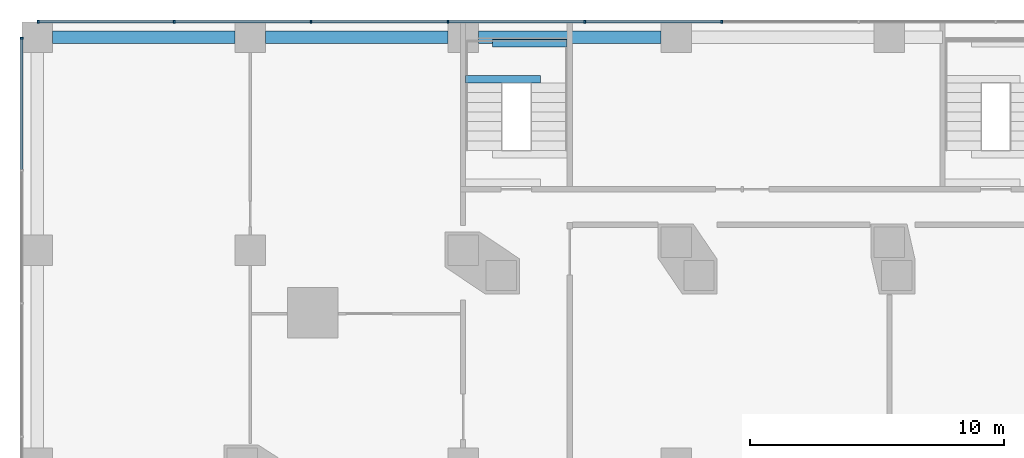
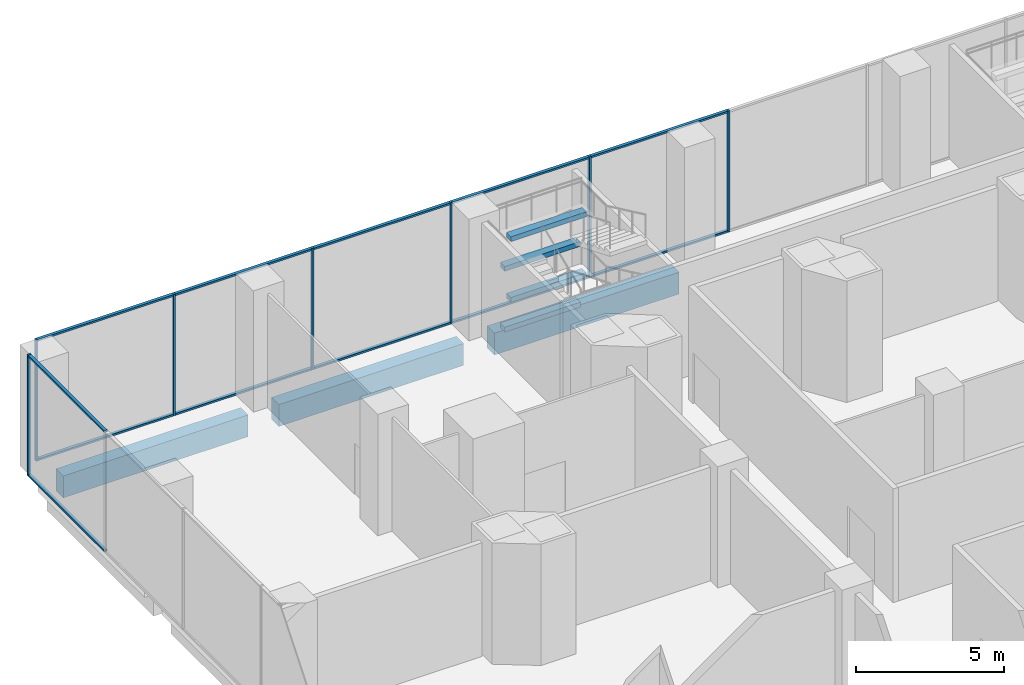
# One storey, part 10 of 28: 19 members, 7 beams, 2 elements without a shape of their own.
"""IFC4 building model written with IfcOpenShell, lengths in metres."""

import ifcopenshell
import ifcopenshell.guid

model = None  # the IFC model being written
_history = None  # IfcOwnerHistory: only IFC2X3 demands one
_inside = {}  # id of a spatial element -> (the spatial element, [elements in it])
_under = {}  # id of a project, library or spatial element -> (it, [spatial elements below it])
_declared = {}  # id of a project -> (the project, [libraries it declares])
_typed = {}  # id of a type object -> (the type object, [elements of that type])
_made_of = {}  # id of a material, layer set ... -> (it, [elements and type objects made of it])


def new_model(schema):
    """Start an empty IFC model of exactly this schema.

    Asked for "IFC4X3", IfcOpenShell would pick the latest addendum, in which some entities
    have other attributes; the version numbers below select the first issue.
    IFC2X3 requires an IfcOwnerHistory on every rooted entity: one is made here for all.
    """
    global model, _history
    if schema == "IFC4X3":
        model = ifcopenshell.file(schema_version=(4, 3, 0, 0))
    else:
        model = ifcopenshell.file(schema=schema)
    _inside.clear()
    _under.clear()
    _declared.clear()
    _typed.clear()
    _made_of.clear()
    _history = None
    if model.schema == "IFC2X3":
        org = make("IfcOrganization", Name="unknown")
        user = make(
            "IfcPersonAndOrganization",
            ThePerson=make("IfcPerson", FamilyName="unknown"),
            TheOrganization=org,
        )
        app = make(
            "IfcApplication",
            ApplicationDeveloper=org,
            Version="unknown",
            ApplicationFullName="unknown",
            ApplicationIdentifier="unknown",
        )
        _history = make(
            "IfcOwnerHistory",
            OwningUser=user,
            OwningApplication=app,
            ChangeAction="ADDED",
            CreationDate=0,
        )
    return model


def make(cls, **values):
    """One entity of the class cls with the attributes given. An attribute that is None is left unset."""
    return model.create_entity(
        cls, **{name: value for name, value in values.items() if value is not None}
    )


def rooted(cls, **values):
    """An entity with a GlobalId (a new one), such as an element, a storey or a relation."""
    return make(cls, GlobalId=ifcopenshell.guid.new(), OwnerHistory=_history, **values)


def si_unit(unit_type, name, prefix=None):
    """IfcSIUnit, for example si_unit("LENGTHUNIT", "METRE", prefix="MILLI")."""
    return make("IfcSIUnit", UnitType=unit_type, Prefix=prefix, Name=name)


def assignment(units):
    """IfcUnitAssignment: the units of a project."""
    return None if units is None else make("IfcUnitAssignment", Units=units)


def point(xyz):
    """IfcCartesianPoint."""
    return None if xyz is None else make("IfcCartesianPoint", Coordinates=xyz)


def direction(xyz):
    """IfcDirection."""
    return None if xyz is None else make("IfcDirection", DirectionRatios=xyz)


def frame(location, z_axis=None, x_axis=None):
    """IfcAxis2Placement3D, a coordinate frame: its origin and axes. An axis left out is left unset."""
    return make(
        "IfcAxis2Placement3D",
        Location=point(location),
        Axis=direction(z_axis),
        RefDirection=direction(x_axis),
    )


def frame_2d(location, x_axis=None):
    """IfcAxis2Placement2D, a coordinate frame in the plane: its origin and x axis."""
    return make(
        "IfcAxis2Placement2D", Location=point(location), RefDirection=direction(x_axis)
    )


def origin():
    """The frame at (0, 0, 0) with its axes left unset."""
    return frame((0.0, 0.0, 0.0))


def origin_2d():
    """The frame at (0, 0) in the plane with its x axis left unset."""
    return frame_2d((0.0, 0.0))


def place(relative_to, where):
    """IfcLocalPlacement: puts the frame where relative to a parent placement (None: the world)."""
    return make(
        "IfcLocalPlacement", PlacementRelTo=relative_to, RelativePlacement=where
    )


def context(
    kind, dimensions, precision=None, world=None, true_north=None, identifier=None
):
    """IfcGeometricRepresentationContext, for example the 3D "Model" context."""
    return make(
        "IfcGeometricRepresentationContext",
        ContextIdentifier=identifier,
        ContextType=kind,
        CoordinateSpaceDimension=dimensions,
        Precision=precision,
        WorldCoordinateSystem=world,
        TrueNorth=true_north,
    )


def subcontext(parent, identifier, kind, view, scale=None):
    """IfcGeometricRepresentationSubContext, for example "Body" below "Model"."""
    return make(
        "IfcGeometricRepresentationSubContext",
        ContextIdentifier=identifier,
        ContextType=kind,
        ParentContext=parent,
        TargetScale=scale,
        TargetView=view,
    )


def project(units=None, contexts=None):
    """IfcProject with its units and contexts."""
    return rooted(
        "IfcProject",
        Name="project",
        RepresentationContexts=contexts,
        UnitsInContext=assignment(units),
    )


def spatial(cls, under=None, at=None, **own):
    """A site, building, storey or space (cls), placed at a placement, below another one or the project."""
    s = rooted(cls, ObjectPlacement=at, **own)
    if under is not None:
        _under.setdefault(under.id(), (under, []))[1].append(s)
    return s


def profile(cls, at=None, kind="AREA", **sizes):
    """A parametric profile (cls). Its sizes go by their IFC names, for example OverallWidth=200.0."""
    return make(cls, ProfileType=kind, Position=at, **sizes)


def rectangle(**sizes):
    """IfcRectangleProfileDef."""
    return profile("IfcRectangleProfileDef", **sizes)


def extrude(swept, where, along, depth):
    """IfcExtrudedAreaSolid: the profile swept, set in the frame where, extruded along a direction by depth."""
    return make(
        "IfcExtrudedAreaSolid",
        SweptArea=swept,
        Position=where,
        ExtrudedDirection=direction(along),
        Depth=depth,
    )


def shape(context_of_items, identifier, shape_type, items):
    """IfcShapeRepresentation: the items that make up one representation, for example the "Body"."""
    return make(
        "IfcShapeRepresentation",
        ContextOfItems=context_of_items,
        RepresentationIdentifier=identifier,
        RepresentationType=shape_type,
        Items=items,
    )


def material(Name=None, Category=None):
    """IfcMaterial."""
    return make("IfcMaterial", Name=Name, Category=Category)


def layer(
    of_material, thickness, ventilated=None, Name=None, Category=None, Priority=None
):
    """IfcMaterialLayer: one layer of a wall or slab, of a material (None: an air gap)."""
    return make(
        "IfcMaterialLayer",
        Material=of_material,
        LayerThickness=thickness,
        IsVentilated=ventilated,
        Name=Name,
        Category=Category,
        Priority=Priority,
    )


def layer_set(layers, Name=None):
    """IfcMaterialLayerSet."""
    return make("IfcMaterialLayerSet", MaterialLayers=layers, LayerSetName=Name)


def material_profile(
    of_material, cross_section, Name=None, Category=None, Priority=None
):
    """IfcMaterialProfile: a cross section and its material."""
    return make(
        "IfcMaterialProfile",
        Name=Name,
        Material=of_material,
        Profile=cross_section,
        Priority=Priority,
        Category=Category,
    )


def profile_set(profiles, Name=None, composite=None):
    """IfcMaterialProfileSet."""
    return make(
        "IfcMaterialProfileSet",
        Name=Name,
        MaterialProfiles=profiles,
        CompositeProfile=composite,
    )


def made_of(thing, what):
    """Note that an element or type object is made of a material, layer set ...; save() writes the relation."""
    if what is not None:
        _made_of.setdefault(what.id(), (what, []))[1].append(thing)
    return thing


def type_object(cls, material=None, **own):
    """A type object (cls), such as IfcWallType, which elements share."""
    return made_of(rooted(cls, **own), material)


def element(
    cls,
    number,
    at=None,
    inside=None,
    cuts=None,
    type_object=None,
    material=None,
    context=None,
    identifier="Body",
    shape_type=None,
    held_by="IfcProductDefinitionShape",
    body=None,
    shapes=None,
    **own,
):
    """One element of the class cls, such as IfcWall. Its Tag is "e" and its number.

    at: its placement. inside: the storey or other place that contains it. cuts: it is an
    opening in that element (IfcRelVoidsElement). A single representation is given by context,
    identifier, shape_type and body (its items); several are given by shapes. held_by: the class
    of the entity that holds the representations. save() writes the other relations.
    """
    e = rooted(cls, Tag="e%d" % number, ObjectPlacement=at, **own)
    if body is not None:
        shapes = [shape(context, identifier, shape_type, body)]
    if shapes is not None:
        e.Representation = make(held_by, Representations=shapes)
    if inside is not None:
        _inside.setdefault(inside.id(), (inside, []))[1].append(e)
    if cuts is not None:
        rooted(
            "IfcRelVoidsElement", RelatingBuildingElement=cuts, RelatedOpeningElement=e
        )
    if type_object is not None:
        _typed.setdefault(type_object.id(), (type_object, []))[1].append(e)
    return made_of(e, material)


def aggregate(whole, parts):
    """IfcRelAggregates: a whole, such as a stair, and the parts it consists of."""
    return rooted("IfcRelAggregates", RelatingObject=whole, RelatedObjects=parts)


def save(model, path):
    """Write the relations noted so far, then the file.

    IfcRelAggregates (storeys below a building ...), IfcRelContainedInSpatialStructure (elements
    in a storey), IfcRelDefinesByType, IfcRelAssociatesMaterial and IfcRelDeclares: one each for
    every whole, place, type object, material and project.
    """
    for whole, parts in _under.values():
        aggregate(whole, parts)
    for where, things in _inside.values():
        rooted(
            "IfcRelContainedInSpatialStructure",
            RelatedElements=things,
            RelatingStructure=where,
        )
    for kind, things in _typed.values():
        rooted("IfcRelDefinesByType", RelatedObjects=things, RelatingType=kind)
    for what, things in _made_of.values():
        rooted("IfcRelAssociatesMaterial", RelatedObjects=things, RelatingMaterial=what)
    for by, libraries in _declared.values():
        rooted("IfcRelDeclares", RelatingContext=by, RelatedDefinitions=libraries)
    model.write(path)


model = new_model("IFC4")

# Units and contexts
model_context = context("Model", 3, precision=1e-05, world=origin(), true_north=direction((0.0, 1.0)))
body_context = subcontext(model_context, "Body", "Model", "MODEL_VIEW")
ifc_project = project(units=[si_unit("LENGTHUNIT", "METRE"), si_unit("AREAUNIT", "SQUARE_METRE"), si_unit("VOLUMEUNIT", "CUBIC_METRE"), si_unit("PLANEANGLEUNIT", "RADIAN"), si_unit("MASSUNIT", "GRAM", prefix="KILO")], contexts=[model_context])

# Site, building, storey
site_placement = place(None, origin())
site = spatial("IfcSite", under=ifc_project, at=site_placement, CompositionType="ELEMENT")
building_placement = place(site_placement, origin())
building = spatial("IfcBuilding", under=site, at=building_placement, Name="Marenta Gate Hotel Tower", CompositionType="ELEMENT")
storey_placement = place(building_placement, frame((0.0, 0.0, 26.0)))
storey = spatial("IfcBuildingStorey", under=building, at=storey_placement, Name="L04", CompositionType="ELEMENT", Elevation=26.0)

# Curtain wall, members
ifc_material_1 = material(Name="Tinted insulated glass in bronze anodised frame", Category="glass")
ifc_layer = layer(ifc_material_1, 0.1201171875)
ifc_layer_set = layer_set([ifc_layer], Name="Tinted insulated glass in bronze anodised frame")
curtain_wall_type = type_object("IfcCurtainWallType", Name="Wellness glazing CW7", PredefinedType="NOTDEFINED", material=ifc_layer_set)
curtain_wall_1_placement = place(storey_placement, origin())
curtain_wall_1 = element("IfcCurtainWall", 1, at=curtain_wall_1_placement, inside=storey, type_object=curtain_wall_type, Name="CW7 run NB-N000", PredefinedType="NOTDEFINED")
ifc_material_2 = material(Name="Bronze anodised aluminium", Category="aluminium")
ifc_material_profile_1 = material_profile(ifc_material_2, rectangle(XDim=0.1201171875, YDim=0.074951171875, at=origin_2d()), Name="Mullion CW7 75x120 bronze anodised aluminium")
ifc_profile_set_1 = profile_set([ifc_material_profile_1], Name="Bronze anodised aluminium")
member_type_1 = type_object("IfcMemberType", Name="Mullion CW7 75x120 bronze anodised aluminium", PredefinedType="MULLION", material=ifc_profile_set_1)
member_1_placement = place(storey_placement, frame((-10.800048828125, 42.614013671875, 0.0), z_axis=(0.0, 0.0, 1.0), x_axis=(0.0, -1.0, 0.0)))
member_1 = element("IfcMember", 2, at=member_1_placement, type_object=member_type_1, Name="CW7 mullion 10", PredefinedType="MULLION", context=body_context, shape_type="SweptSolid", body=[
    extrude(rectangle(XDim=0.1201171875, YDim=0.074951171875, at=origin_2d()), origin(), (0.0, 0.0, 1.0), 5.0),
])
member_2_placement = place(storey_placement, frame((-16.199951171875, 42.614013671875, 0.0), z_axis=(0.0, 0.0, 1.0), x_axis=(0.0, -1.0, 0.0)))
member_2 = element("IfcMember", 3, at=member_2_placement, type_object=member_type_1, Name="CW7 mullion 11", PredefinedType="MULLION", context=body_context, shape_type="SweptSolid", body=[
    extrude(rectangle(XDim=0.1201171875, YDim=0.074951171875, at=origin_2d()), origin(), (0.0, 0.0, 1.0), 5.0),
])
member_3_placement = place(storey_placement, frame((-21.60009765625, 42.614013671875, 0.0), z_axis=(0.0, 0.0, 1.0), x_axis=(0.0, -1.0, 0.0)))
member_3 = element("IfcMember", 4, at=member_3_placement, type_object=member_type_1, Name="CW7 mullion 12", PredefinedType="MULLION", context=body_context, shape_type="SweptSolid", body=[
    extrude(rectangle(XDim=0.1201171875, YDim=0.074951171875, at=origin_2d()), origin(), (0.0, 0.0, 1.0), 5.0),
])
member_4_placement = place(storey_placement, frame((-27.0, 42.614013671875, 0.0), z_axis=(0.0, 0.0, 1.0), x_axis=(0.0, -1.0, 0.0)))
member_4 = element("IfcMember", 5, at=member_4_placement, type_object=member_type_1, Name="CW7 mullion 13", PredefinedType="MULLION", context=body_context, shape_type="SweptSolid", body=[
    extrude(rectangle(XDim=0.1201171875, YDim=0.074951171875, at=origin_2d()), origin(), (0.0, 0.0, 1.0), 5.0),
])
member_5_placement = place(storey_placement, frame((-32.39990234375, 42.614013671875, 0.0), z_axis=(0.0, 0.0, 1.0), x_axis=(0.0, -1.0, 0.0)))
member_5 = element("IfcMember", 6, at=member_5_placement, type_object=member_type_1, Name="CW7 mullion 14", PredefinedType="MULLION", context=body_context, shape_type="SweptSolid", body=[
    extrude(rectangle(XDim=0.1201171875, YDim=0.074951171875, at=origin_2d()), origin(), (0.0, 0.0, 1.0), 5.0),
])
member_6_placement = place(storey_placement, frame((-37.762451171875, 42.614013671875, 0.0), z_axis=(0.0, 0.0, 1.0), x_axis=(0.0, -1.0, 0.0)))
member_6 = element("IfcMember", 7, at=member_6_placement, type_object=member_type_1, Name="CW7 mullion 15", PredefinedType="MULLION", context=body_context, shape_type="SweptSolid", body=[
    extrude(rectangle(XDim=0.1201171875, YDim=0.074951171875, at=origin_2d()), origin(), (0.0, 0.0, 1.0), 5.0),
])

# Curtain wall, member
curtain_wall_2_placement = place(storey_placement, origin())
curtain_wall_2 = element("IfcCurtainWall", 8, at=curtain_wall_2_placement, inside=storey, type_object=curtain_wall_type, Name="CW7 run NB-W000", PredefinedType="NOTDEFINED")
member_7_placement = place(storey_placement, frame((-38.4140625, 41.96240234375, 0.0), z_axis=(0.0, 0.0, 1.0), x_axis=(1.0, 0.0, 0.0)))
member_7 = element("IfcMember", 9, at=member_7_placement, type_object=member_type_1, Name="CW7 mullion 1", PredefinedType="MULLION", context=body_context, shape_type="SweptSolid", body=[
    extrude(rectangle(XDim=0.1201171875, YDim=0.074951171875, at=origin_2d()), origin(), (0.0, 0.0, 1.0), 5.0),
])

# Beams
ifc_material_3 = material(Name="Concrete C60", Category="concrete")
ifc_material_profile_2 = material_profile(ifc_material_3, rectangle(XDim=0.5, YDim=0.89990234375, at=origin_2d()), Name="500 x 900")
ifc_profile_set_2 = profile_set([ifc_material_profile_2], Name="Concrete C60")
beam_type_1 = type_object("IfcBeamType", Name="Podium edge beam 500 x 900 C60", PredefinedType="BEAM", material=ifc_profile_set_2)
for number, where, z_axis, x_axis, name in (
    (10, (-13.199951171875, 42.0, -0.77001953125), (-1.0, 0.0, 0.0), (0.0, -1.0, 0.0), "L04-PBM-168"),
    (11, (-21.60009765625, 42.0, -0.77001953125), (-1.0, 0.0, 0.0), (0.0, -1.0, 0.0), "L04-PBM-169"),
    (12, (-30.0, 42.0, -0.77001953125), (-1.0, 0.0, 0.0), (0.0, -1.0, 0.0), "L04-PBM-170"),
):
    element("IfcBeam", number, at=place(storey_placement, frame(where, z_axis=z_axis, x_axis=x_axis)), inside=storey, type_object=beam_type_1, Name=name, PredefinedType="BEAM", context=body_context, shape_type="SweptSolid", body=[
        extrude(rectangle(XDim=0.5, YDim=0.89990234375, at=origin_2d()), origin(), (0.0, 0.0, 1.0), 7.199951171875),
    ])
ifc_material_4 = material(Name="Concrete C40", Category="concrete")
ifc_material_profile_3 = material_profile(ifc_material_4, rectangle(XDim=0.300048828125, YDim=0.199951171875, at=origin_2d()), Name="300 x 200")
ifc_profile_set_3 = profile_set([ifc_material_profile_3], Name="Concrete C40")
beam_type_2 = type_object("IfcBeamType", Name="Stair landing trimmer 300 x 200 C40", PredefinedType="BEAM", material=ifc_profile_set_3)
beam_1_placement = place(storey_placement, frame((-20.89990234375, 40.340087890625, 0.949951171875), z_axis=(1.0, 0.0, 0.0), x_axis=(0.0, 1.0, 0.0)))
element("IfcBeam", 13, at=beam_1_placement, inside=storey, type_object=beam_type_2, Name="L04-PX3-LT-1", PredefinedType="BEAM", context=body_context, shape_type="SweptSolid", body=[
    extrude(rectangle(XDim=0.300048828125, YDim=0.199951171875, at=origin_2d()), origin(), (0.0, 0.0, 1.0), 2.949951171875),
])
beam_2_placement = place(storey_placement, frame((-19.85009765625, 41.75, 0.949951171875), z_axis=(1.0, 0.0, 0.0), x_axis=(0.0, 1.0, 0.0)))
element("IfcBeam", 14, at=beam_2_placement, inside=storey, type_object=beam_type_2, Name="L04-PX3-LT-2", PredefinedType="BEAM", context=body_context, shape_type="SweptSolid", body=[
    extrude(rectangle(XDim=0.300048828125, YDim=0.199951171875, at=origin_2d()), origin(), (0.0, 0.0, 1.0), 2.9501953125),
])
beam_3_placement = place(storey_placement, frame((-20.89990234375, 40.340087890625, 3.449951171875), z_axis=(1.0, 0.0, 0.0), x_axis=(0.0, 1.0, 0.0)))
element("IfcBeam", 15, at=beam_3_placement, inside=storey, type_object=beam_type_2, Name="L04-PX3-LT-5", PredefinedType="BEAM", context=body_context, shape_type="SweptSolid", body=[
    extrude(rectangle(XDim=0.300048828125, YDim=0.199951171875, at=origin_2d()), origin(), (0.0, 0.0, 1.0), 2.949951171875),
])
beam_4_placement = place(storey_placement, frame((-19.85009765625, 41.75, 3.449951171875), z_axis=(1.0, 0.0, 0.0), x_axis=(0.0, 1.0, 0.0)))
element("IfcBeam", 16, at=beam_4_placement, inside=storey, type_object=beam_type_2, Name="L04-PX3-LT-6", PredefinedType="BEAM", context=body_context, shape_type="SweptSolid", body=[
    extrude(rectangle(XDim=0.300048828125, YDim=0.199951171875, at=origin_2d()), origin(), (0.0, 0.0, 1.0), 2.9501953125),
])

# Member
ifc_material_5 = material(Name="Bronze anodised aluminium", Category="aluminium")
ifc_material_profile_4 = material_profile(ifc_material_5, rectangle(XDim=0.1201171875, YDim=0.074951171875, at=origin_2d()), Name="Transom CW7 75x120 bronze anodised aluminium")
ifc_profile_set_4 = profile_set([ifc_material_profile_4], Name="Bronze anodised aluminium")
member_type_2 = type_object("IfcMemberType", Name="Transom CW7 75x120 bronze anodised aluminium", PredefinedType="USERDEFINED", material=ifc_profile_set_4)
member_8_placement = place(storey_placement, frame((-10.83740234375, 42.614013671875, 0.03759765625), z_axis=(-1.0, 0.0, 0.0), x_axis=(0.0, -1.0, 0.0)))
member_8 = element("IfcMember", 17, at=member_8_placement, type_object=member_type_2, Name="CW7 transom 10.1", ObjectType="TRANSOM", PredefinedType="USERDEFINED", context=body_context, shape_type="SweptSolid", body=[
    extrude(rectangle(XDim=0.1201171875, YDim=0.074951171875, at=origin_2d()), origin(), (0.0, 0.0, 1.0), 5.3251953125),
])

member_9_placement = place(storey_placement, frame((-10.83740234375, 42.614013671875, 4.96240234375), z_axis=(-1.0, 0.0, 0.0), x_axis=(0.0, -1.0, 0.0)))
member_9 = element("IfcMember", 18, at=member_9_placement, type_object=member_type_2, Name="CW7 transom 10.2", ObjectType="TRANSOM", PredefinedType="USERDEFINED", context=body_context, shape_type="SweptSolid", body=[
    extrude(rectangle(XDim=0.1201171875, YDim=0.074951171875, at=origin_2d()), origin(), (0.0, 0.0, 1.0), 5.3251953125),
])

member_10_placement = place(storey_placement, frame((-16.237548828125, 42.614013671875, 0.03759765625), z_axis=(-1.0, 0.0, 0.0), x_axis=(0.0, -1.0, 0.0)))
member_10 = element("IfcMember", 19, at=member_10_placement, type_object=member_type_2, Name="CW7 transom 11.1", ObjectType="TRANSOM", PredefinedType="USERDEFINED", context=body_context, shape_type="SweptSolid", body=[
    extrude(rectangle(XDim=0.1201171875, YDim=0.074951171875, at=origin_2d()), origin(), (0.0, 0.0, 1.0), 5.324951171875),
])

member_11_placement = place(storey_placement, frame((-16.237548828125, 42.614013671875, 4.96240234375), z_axis=(-1.0, 0.0, 0.0), x_axis=(0.0, -1.0, 0.0)))
member_11 = element("IfcMember", 20, at=member_11_placement, type_object=member_type_2, Name="CW7 transom 11.2", ObjectType="TRANSOM", PredefinedType="USERDEFINED", context=body_context, shape_type="SweptSolid", body=[
    extrude(rectangle(XDim=0.1201171875, YDim=0.074951171875, at=origin_2d()), origin(), (0.0, 0.0, 1.0), 5.324951171875),
])

member_12_placement = place(storey_placement, frame((-21.637451171875, 42.614013671875, 0.03759765625), z_axis=(-1.0, 0.0, 0.0), x_axis=(0.0, -1.0, 0.0)))
member_12 = element("IfcMember", 21, at=member_12_placement, type_object=member_type_2, Name="CW7 transom 12.1", ObjectType="TRANSOM", PredefinedType="USERDEFINED", context=body_context, shape_type="SweptSolid", body=[
    extrude(rectangle(XDim=0.1201171875, YDim=0.074951171875, at=origin_2d()), origin(), (0.0, 0.0, 1.0), 5.324951171875),
])

member_13_placement = place(storey_placement, frame((-21.637451171875, 42.614013671875, 4.96240234375), z_axis=(-1.0, 0.0, 0.0), x_axis=(0.0, -1.0, 0.0)))
member_13 = element("IfcMember", 22, at=member_13_placement, type_object=member_type_2, Name="CW7 transom 12.2", ObjectType="TRANSOM", PredefinedType="USERDEFINED", context=body_context, shape_type="SweptSolid", body=[
    extrude(rectangle(XDim=0.1201171875, YDim=0.074951171875, at=origin_2d()), origin(), (0.0, 0.0, 1.0), 5.324951171875),
])

member_14_placement = place(storey_placement, frame((-27.03759765625, 42.614013671875, 0.03759765625), z_axis=(-1.0, 0.0, 0.0), x_axis=(0.0, -1.0, 0.0)))
member_14 = element("IfcMember", 23, at=member_14_placement, type_object=member_type_2, Name="CW7 transom 13.1", ObjectType="TRANSOM", PredefinedType="USERDEFINED", context=body_context, shape_type="SweptSolid", body=[
    extrude(rectangle(XDim=0.1201171875, YDim=0.074951171875, at=origin_2d()), origin(), (0.0, 0.0, 1.0), 5.324951171875),
])

member_15_placement = place(storey_placement, frame((-27.03759765625, 42.614013671875, 4.96240234375), z_axis=(-1.0, 0.0, 0.0), x_axis=(0.0, -1.0, 0.0)))
member_15 = element("IfcMember", 24, at=member_15_placement, type_object=member_type_2, Name="CW7 transom 13.2", ObjectType="TRANSOM", PredefinedType="USERDEFINED", context=body_context, shape_type="SweptSolid", body=[
    extrude(rectangle(XDim=0.1201171875, YDim=0.074951171875, at=origin_2d()), origin(), (0.0, 0.0, 1.0), 5.324951171875),
])

member_16_placement = place(storey_placement, frame((-32.4375, 42.614013671875, 0.03759765625), z_axis=(-1.0, 0.0, 0.0), x_axis=(0.0, -1.0, 0.0)))
member_16 = element("IfcMember", 25, at=member_16_placement, type_object=member_type_2, Name="CW7 transom 14.1", ObjectType="TRANSOM", PredefinedType="USERDEFINED", context=body_context, shape_type="SweptSolid", body=[
    extrude(rectangle(XDim=0.1201171875, YDim=0.074951171875, at=origin_2d()), origin(), (0.0, 0.0, 1.0), 5.28759765625),
])

member_17_placement = place(storey_placement, frame((-32.4375, 42.614013671875, 4.96240234375), z_axis=(-1.0, 0.0, 0.0), x_axis=(0.0, -1.0, 0.0)))
member_17 = element("IfcMember", 26, at=member_17_placement, type_object=member_type_2, Name="CW7 transom 14.2", ObjectType="TRANSOM", PredefinedType="USERDEFINED", context=body_context, shape_type="SweptSolid", body=[
    extrude(rectangle(XDim=0.1201171875, YDim=0.074951171875, at=origin_2d()), origin(), (0.0, 0.0, 1.0), 5.28759765625),
])

aggregate(curtain_wall_1, [member_1, member_2, member_3, member_4, member_5, member_6, member_8, member_9, member_10, member_11, member_12, member_13, member_14, member_15, member_16, member_17])

member_18_placement = place(storey_placement, frame((-38.4140625, 41.925048828125, 0.03759765625), z_axis=(0.0, -1.0, 0.0), x_axis=(1.0, 0.0, 0.0)))
member_18 = element("IfcMember", 27, at=member_18_placement, type_object=member_type_2, Name="CW7 transom 1.1", ObjectType="TRANSOM", PredefinedType="USERDEFINED", context=body_context, shape_type="SweptSolid", body=[
    extrude(rectangle(XDim=0.1201171875, YDim=0.074951171875, at=origin_2d()), origin(), (0.0, 0.0, 1.0), 5.137451171875),
])

member_19_placement = place(storey_placement, frame((-38.4140625, 41.925048828125, 4.96240234375), z_axis=(0.0, -1.0, 0.0), x_axis=(1.0, 0.0, 0.0)))
member_19 = element("IfcMember", 28, at=member_19_placement, type_object=member_type_2, Name="CW7 transom 1.2", ObjectType="TRANSOM", PredefinedType="USERDEFINED", context=body_context, shape_type="SweptSolid", body=[
    extrude(rectangle(XDim=0.1201171875, YDim=0.074951171875, at=origin_2d()), origin(), (0.0, 0.0, 1.0), 5.137451171875),
])

aggregate(curtain_wall_2, [member_7, member_18, member_19])

save(model, "model.ifc")
